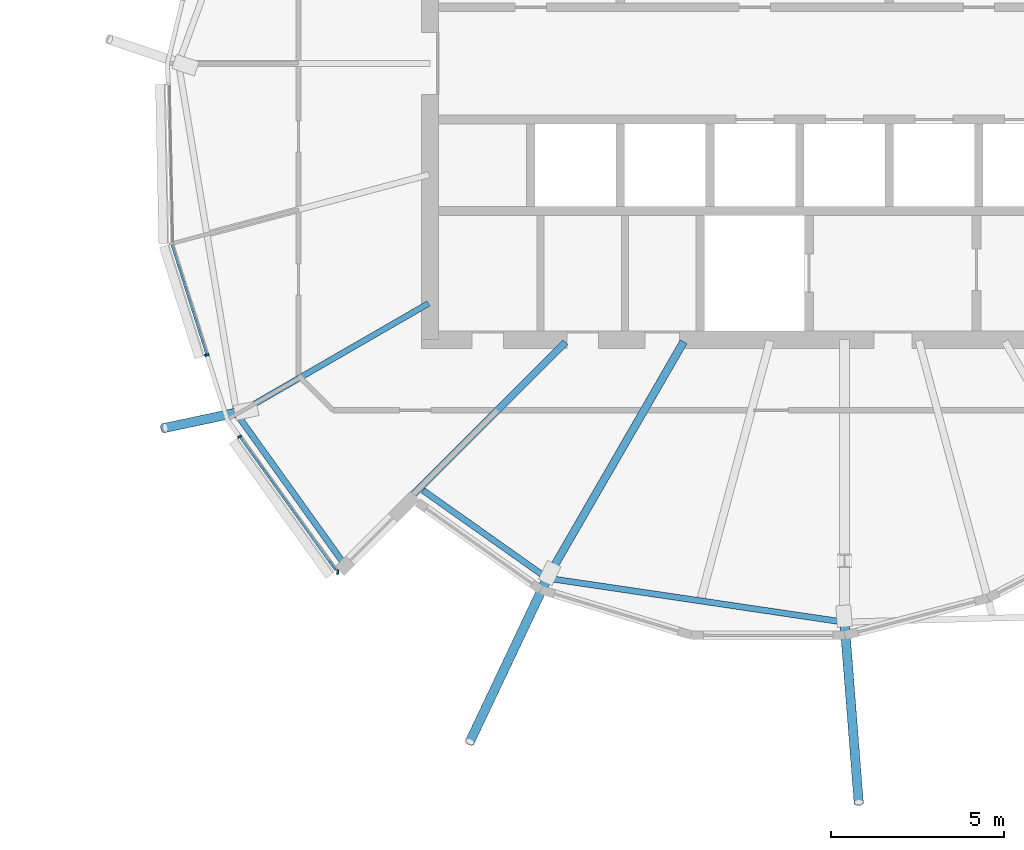
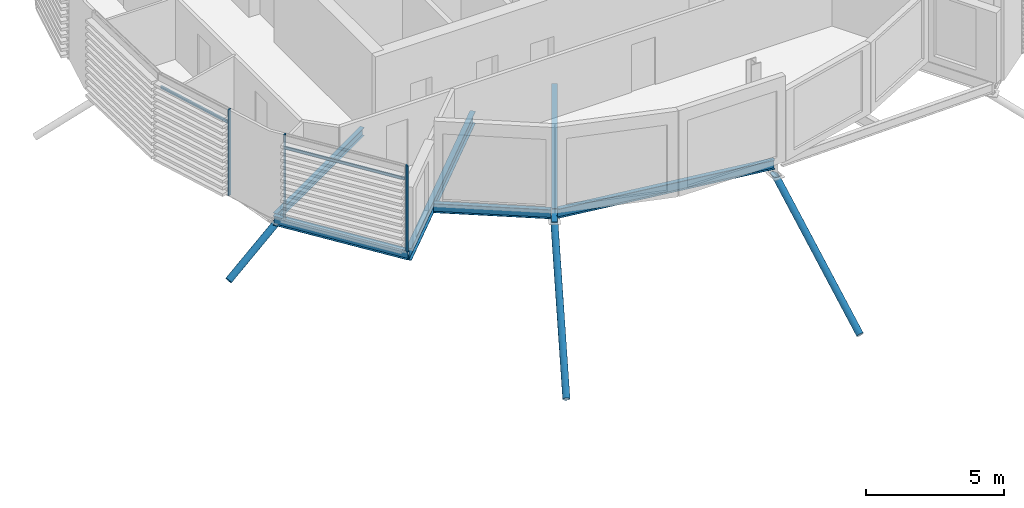
# One storey, part 9 of 35: 8 members, 6 beams, 1 element without a shape of its own.
"""IFC4 building model written with IfcOpenShell, lengths in metres."""

from ifc_helpers import new_model, si_unit, direction, frame, origin, origin_2d, place, context, subcontext, project, spatial, rectangle, hollow_circle, i_section, extrude, clip, halfspace, material, material_profile, profile_set, type_object, element, aggregate, save


model = new_model("IFC4")

# Units and contexts
model_context = context("Model", 3, precision=1e-05, world=origin(), true_north=direction((0.0, 1.0)))
body_context = subcontext(model_context, "Body", "Model", "MODEL_VIEW")
ifc_project = project(units=[si_unit("LENGTHUNIT", "METRE"), si_unit("AREAUNIT", "SQUARE_METRE"), si_unit("VOLUMEUNIT", "CUBIC_METRE"), si_unit("PLANEANGLEUNIT", "RADIAN"), si_unit("MASSUNIT", "GRAM", prefix="KILO")], contexts=[model_context])

# Site, building, storey
site_placement = place(None, origin())
site = spatial("IfcSite", under=ifc_project, at=site_placement, CompositionType="ELEMENT")
building_placement = place(site_placement, origin())
building = spatial("IfcBuilding", under=site, at=building_placement, Name="Rimbun Link Towers", CompositionType="ELEMENT")
storey_placement = place(building_placement, frame((0.0, 0.0, 225.699951171875)))
storey = spatial("IfcBuildingStorey", under=building, at=storey_placement, Name="L55", CompositionType="ELEMENT", Elevation=225.699951171875)

# Curtain wall, members
ifc_material_1 = material(Name="Aluminium 6063-T6 and low-iron glass", Category="aluminium")
curtain_wall_type = type_object("IfcCurtainWallType", Name="CW1-Z4 unitised vision wall (zone 4)", PredefinedType="NOTDEFINED", material=ifc_material_1)
curtain_wall_placement = place(storey_placement, origin())
curtain_wall = element("IfcCurtainWall", 1, at=curtain_wall_placement, inside=storey, type_object=curtain_wall_type, Name="CW1 L55 T2", PredefinedType="NOTDEFINED")
ifc_material_2 = material(Name="Aluminium 6063-T6", Category="aluminium")
ifc_material_profile_1 = material_profile(ifc_material_2, rectangle(XDim=0.1201171875, YDim=0.06005859375, at=origin_2d()), Name="MULLION 60X120")
ifc_profile_set_1 = profile_set([ifc_material_profile_1], Name="Aluminium 6063-T6")
member_type_1 = type_object("IfcMemberType", Name="CW1 mullion 60X120", PredefinedType="MULLION", material=ifc_profile_set_1)
member_1_placement = place(storey_placement, frame((13.289306640625, -8.444091796875, 0.0), z_axis=(0.0, 0.0, 1.0), x_axis=(-0.952973824415, -0.303052619159, 0.0)))
member_1 = element("IfcMember", 2, at=member_1_placement, type_object=member_type_1, Name="CW1 mullion", PredefinedType="MULLION", context=body_context, shape_type="SweptSolid", body=[
    extrude(rectangle(XDim=0.1201171875, YDim=0.06005859375, at=origin_2d()), origin(), (0.0, 0.0, 1.0), 3.800048828125),
])
member_2_placement = place(storey_placement, frame((17.077880859375, -14.72705078125, 0.0), z_axis=(0.0, 0.0, 1.0), x_axis=(-0.081394965181, -0.996681925011, 0.0)))
member_2 = element("IfcMember", 3, at=member_2_placement, type_object=member_type_1, Name="CW1 mullion", PredefinedType="MULLION", context=body_context, shape_type="SweptSolid", body=[
    extrude(rectangle(XDim=0.1201171875, YDim=0.06005859375, at=origin_2d()), origin(), (0.0, 0.0, 1.0), 3.800048828125),
])
member_3_placement = place(storey_placement, frame((14.238525390625, -10.806640625, 0.0), z_axis=(0.0, 0.0, 1.0), x_axis=(-0.812465338349, -0.583009497334, 0.0)))
member_3 = element("IfcMember", 4, at=member_3_placement, type_object=member_type_1, Name="CW1 mullion", PredefinedType="MULLION", context=body_context, shape_type="SweptSolid", body=[
    extrude(rectangle(XDim=0.1201171875, YDim=0.06005859375, at=origin_2d()), origin(), (0.0, 0.0, 1.0), 3.800048828125),
])
ifc_material_3 = material(Name="Aluminium 6063-T6", Category="aluminium")
ifc_material_profile_2 = material_profile(ifc_material_3, rectangle(XDim=0.06005859375, YDim=0.1201171875, at=origin_2d()), Name="TRANSOM 60X120")
ifc_profile_set_2 = profile_set([ifc_material_profile_2], Name="Aluminium 6063-T6")
member_type_2 = type_object("IfcMemberType", Name="CW1 transom 60X120", PredefinedType="USERDEFINED", material=ifc_profile_set_2)
member_4_placement = place(storey_placement, frame((13.281982421875, -8.414794921875, 3.199951171875), z_axis=(-0.303045779397, 0.952975999482, 0.0), x_axis=(-0.952975999482, -0.303045779397, 0.0)))
member_4 = element("IfcMember", 5, at=member_4_placement, type_object=member_type_2, Name="CW1 transom", ObjectType="TRANSOM", PredefinedType="USERDEFINED", context=body_context, shape_type="SweptSolid", body=[
    extrude(rectangle(XDim=0.06005859375, YDim=0.1201171875, at=origin_2d()), origin(), (0.0, 0.0, 1.0), 3.319091796875),
])
member_5_placement = place(storey_placement, frame((17.01806640625, -14.6767578125, 3.199951171875), z_axis=(-0.583012217454, 0.812463386436, 0.0), x_axis=(-0.812463386436, -0.583012217454, 0.0)))
member_5 = element("IfcMember", 6, at=member_5_placement, type_object=member_type_2, Name="CW1 transom", ObjectType="TRANSOM", PredefinedType="USERDEFINED", context=body_context, shape_type="SweptSolid", body=[
    extrude(rectangle(XDim=0.06005859375, YDim=0.1201171875, at=origin_2d()), origin(), (0.0, 0.0, 1.0), 4.73486328125),
])
aggregate(curtain_wall, [member_1, member_2, member_3, member_4, member_5])

# Members
ifc_material_4 = material(Name="Steel S355J2H", Category="steel")
ifc_material_profile_3 = material_profile(ifc_material_4, hollow_circle(Radius=0.136474609375, WallThickness=0.012451171875, at=origin_2d()), Name="CHS 273x12.5")
ifc_profile_set_3 = profile_set([ifc_material_profile_3], Name="Steel S355J2H")
member_type_3 = type_object("IfcMemberType", Name="Floor edge link CHS 273x12.5", PredefinedType="BRACE", material=ifc_profile_set_3)
member_6_placement = place(storey_placement, frame((14.280517578125, -10.0859375, -0.6103515625), z_axis=(-0.82860456169, -0.175903374117, -0.531481404491), x_axis=(0.207660975456, -0.978200858348, 0.0)))
element("IfcMember", 7, at=member_6_placement, inside=storey, type_object=member_type_3, Name="Floor edge link T2 L55 11", PredefinedType="BRACE", context=body_context, shape_type="Clipping", body=[
    clip(extrude(hollow_circle(Radius=0.136474609375, WallThickness=0.012451171875, at=origin_2d()), frame((0.0, 0.0, -0.453857421875)), (0.0, 0.0, 1.0), 3.1728515625), halfspace(frame((0.0, 0.0, -0.21337890625), z_axis=(0.0, 0.847069959732, -0.531481404491)), False)),
])
member_7_placement = place(storey_placement, frame((23.169189453125, -14.8623046875, -0.85205078125), z_axis=(-0.340217495035, -0.718424173052, -0.606727915664), x_axis=(0.903781000273, -0.427995214397, 0.0)))
element("IfcMember", 8, at=member_7_placement, inside=storey, type_object=member_type_3, Name="Floor edge link T2 L55 13", PredefinedType="BRACE", context=body_context, shape_type="Clipping", body=[
    clip(extrude(hollow_circle(Radius=0.136474609375, WallThickness=0.012451171875, at=origin_2d()), frame((0.0, 0.0, -0.374267578125)), (0.0, 0.0, 1.0), 7.03857421875), halfspace(frame((0.0, 0.0, -0.17724609375), z_axis=(0.0, 0.79490957747, -0.606727915664)), False)),
])
member_8_placement = place(storey_placement, frame((31.75, -16.12890625, -1.092041015625), z_axis=(0.063441578149, -0.807265143028, -0.586769251933), x_axis=(0.996926172151, 0.078346711989, 0.0)))
element("IfcMember", 9, at=member_8_placement, inside=storey, type_object=member_type_3, Name="Floor edge link T2 L55 15", PredefinedType="BRACE", context=body_context, shape_type="Clipping", body=[
    clip(extrude(hollow_circle(Radius=0.136474609375, WallThickness=0.012451171875, at=origin_2d()), frame((0.0, 0.0, -0.393798828125)), (0.0, 0.0, 1.0), 6.93212890625), halfspace(frame((0.0, 0.0, -0.1865234375), z_axis=(0.0, 0.809754188001, -0.586769251933)), False)),
])

# Beams
ifc_material_5 = material(Name="Steel S355J2", Category="steel")
ifc_material_profile_4 = material_profile(ifc_material_5, i_section(OverallWidth=0.17138671875, OverallDepth=0.35498046875, WebThickness=0.00732421875, FlangeThickness=0.011474609375, at=origin_2d()), Name="UB 356x171x51")
ifc_profile_set_4 = profile_set([ifc_material_profile_4], Name="Steel S355J2")
beam_type_1 = type_object("IfcBeamType", Name="UB 356x171x51", PredefinedType="BEAM", material=ifc_profile_set_4)
beam_1_placement = place(storey_placement, frame((19.706298828125, -6.95361328125, -0.3173828125), z_axis=(-0.866029143232, -0.499993523031, 0.0), x_axis=(0.499993523031, -0.866029143232, 0.0)))
element("IfcBeam", 10, at=beam_1_placement, inside=storey, type_object=beam_type_1, Name="Radial beam T2 L55 11", PredefinedType="BEAM", context=body_context, shape_type="SweptSolid", body=[
    extrude(i_section(OverallWidth=0.17138671875, OverallDepth=0.35498046875, WebThickness=0.00732421875, FlangeThickness=0.011474609375, at=origin_2d()), origin(), (0.0, 0.0, 1.0), 6.31494140625),
])
ifc_material_6 = material(Name="Steel S355J2", Category="steel")
ifc_material_profile_5 = material_profile(ifc_material_6, i_section(OverallWidth=0.177978515625, OverallDepth=0.406494140625, WebThickness=0.0078125, FlangeThickness=0.0126953125, at=origin_2d()), Name="UB 406x178x60")
ifc_profile_set_5 = profile_set([ifc_material_profile_5], Name="Steel S355J2")
beam_type_2 = type_object("IfcBeamType", Name="UB 406x178x60", PredefinedType="BEAM", material=ifc_profile_set_5)
beam_2_placement = place(storey_placement, frame((14.15966796875, -10.156982421875, -0.34326171875), z_axis=(0.582291298388, -0.812980223512, 0.0), x_axis=(0.812980223512, 0.582291298388, 0.0)))
element("IfcBeam", 11, at=beam_2_placement, inside=storey, type_object=beam_type_2, Name="Edge beam T2 L55 11", PredefinedType="BEAM", context=body_context, shape_type="SweptSolid", body=[
    extrude(i_section(OverallWidth=0.177978515625, OverallDepth=0.406494140625, WebThickness=0.0078125, FlangeThickness=0.0126953125, at=origin_2d()), origin(), (0.0, 0.0, 1.0), 5.326416015625),
])
beam_3_placement = place(storey_placement, frame((19.553955078125, -12.36669921875, -0.34326171875), z_axis=(0.816487888789, -0.577362561533, 0.0), x_axis=(0.577362561533, 0.816487888789, 0.0)))
element("IfcBeam", 12, at=beam_3_placement, inside=storey, type_object=beam_type_2, Name="Edge beam T2 L55 12 recess", PredefinedType="BEAM", context=body_context, shape_type="SweptSolid", body=[
    extrude(i_section(OverallWidth=0.177978515625, OverallDepth=0.406494140625, WebThickness=0.0078125, FlangeThickness=0.0126953125, at=origin_2d()), origin(), (0.0, 0.0, 1.0), 4.273681640625),
])
beam_4_placement = place(storey_placement, frame((23.266357421875, -14.923583984375, -0.34326171875), z_axis=(0.989227247909, -0.146388018617, 0.0), x_axis=(0.146388018617, 0.989227247909, 0.0)))
element("IfcBeam", 13, at=beam_4_placement, inside=storey, type_object=beam_type_2, Name="Edge beam T2 L55 13-15", PredefinedType="BEAM", context=body_context, shape_type="SweptSolid", body=[
    extrude(i_section(OverallWidth=0.177978515625, OverallDepth=0.406494140625, WebThickness=0.0078125, FlangeThickness=0.0126953125, at=origin_2d()), origin(), (0.0, 0.0, 1.0), 8.42724609375),
])
ifc_material_7 = material(Name="Steel S355J2", Category="steel")
ifc_material_profile_6 = material_profile(ifc_material_7, i_section(OverallWidth=0.209228515625, OverallDepth=0.533203125, WebThickness=0.010009765625, FlangeThickness=0.015625, at=origin_2d()), Name="UB 533x210x92")
ifc_profile_set_6 = profile_set([ifc_material_profile_6], Name="Steel S355J2")
beam_type_3 = type_object("IfcBeamType", Name="UB 533x210x92", PredefinedType="BEAM", material=ifc_profile_set_6)
beam_5_placement = place(storey_placement, frame((23.67529296875, -8.07470703125, -0.406494140625), z_axis=(-0.707106781187, -0.707106781187, 0.0), x_axis=(0.707106781187, -0.707106781187, 0.0)))
element("IfcBeam", 14, at=beam_5_placement, inside=storey, type_object=beam_type_3, Name="Radial beam T2 L55 12", PredefinedType="BEAM", context=body_context, shape_type="SweptSolid", body=[
    extrude(i_section(OverallWidth=0.209228515625, OverallDepth=0.533203125, WebThickness=0.010009765625, FlangeThickness=0.015625, at=origin_2d()), origin(), (0.0, 0.0, 1.0), 8.978759765625),
])
ifc_material_8 = material(Name="Steel S355J2", Category="steel")
ifc_material_profile_7 = material_profile(ifc_material_8, i_section(OverallWidth=0.2275390625, OverallDepth=0.6025390625, WebThickness=0.010498046875, FlangeThickness=0.014892578125, at=origin_2d()), Name="UB 610x229x101")
ifc_profile_set_7 = profile_set([ifc_material_profile_7], Name="Steel S355J2")
beam_type_4 = type_object("IfcBeamType", Name="UB 610x229x101", PredefinedType="BEAM", material=ifc_profile_set_7)
beam_6_placement = place(storey_placement, frame((27.097900390625, -8.057861328125, -0.441162109375), z_axis=(-0.500011107323, -0.866018990873, 0.0), x_axis=(0.866018990873, -0.500011107323, 0.0)))
element("IfcBeam", 15, at=beam_6_placement, inside=storey, type_object=beam_type_4, Name="Radial beam T2 L55 13", PredefinedType="BEAM", context=body_context, shape_type="SweptSolid", body=[
    extrude(i_section(OverallWidth=0.2275390625, OverallDepth=0.6025390625, WebThickness=0.010498046875, FlangeThickness=0.014892578125, at=origin_2d()), origin(), (0.0, 0.0, 1.0), 7.906982421875),
])

save(model, "model.ifc")
